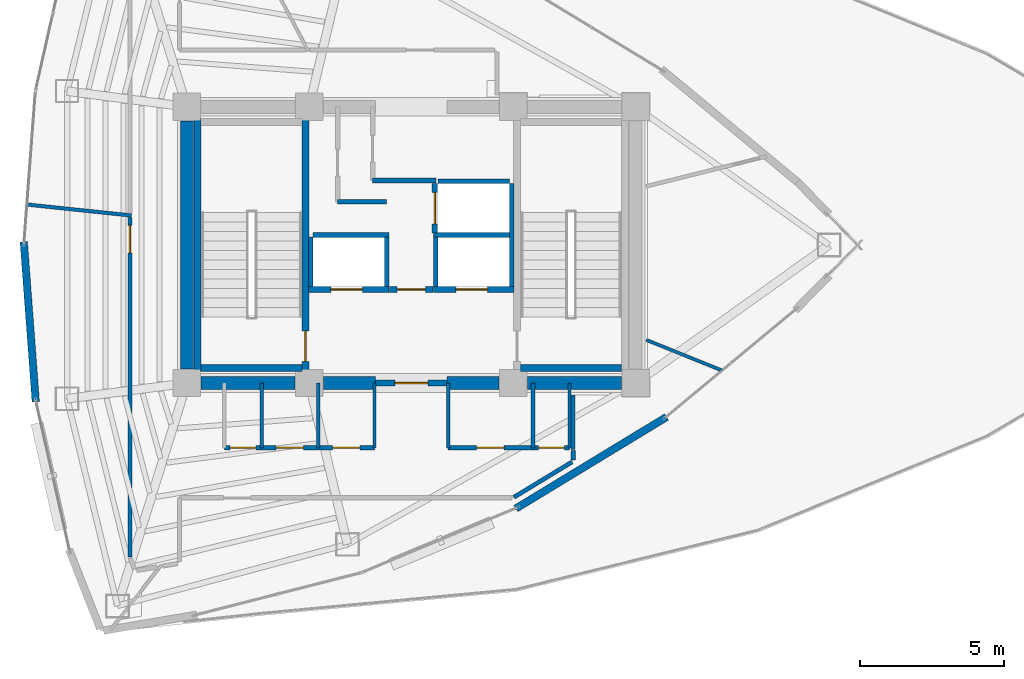
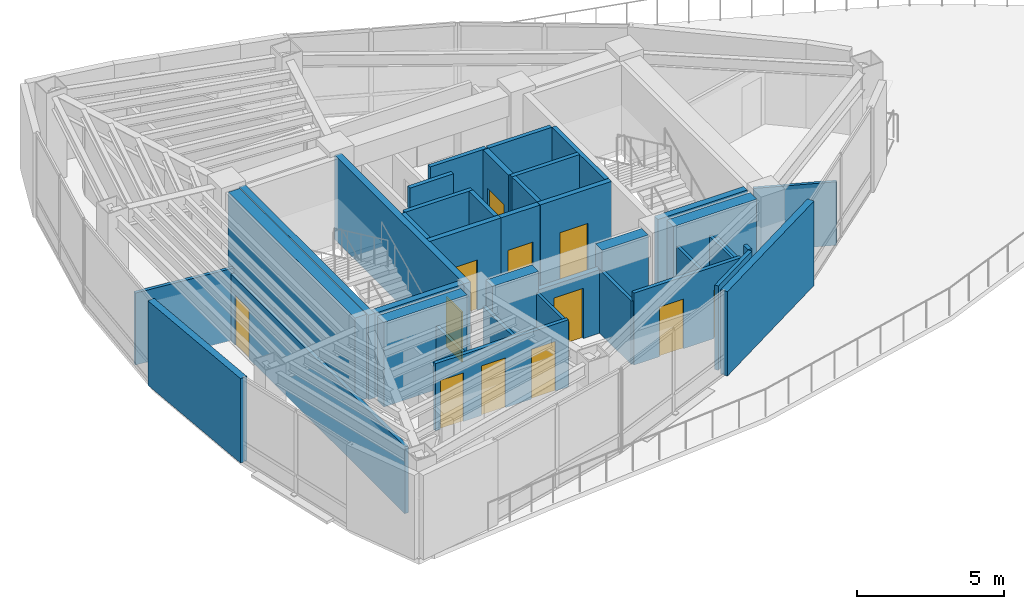
# One storey, part 12 of 16: 39 walls, 12 doors, 12 openings.
"""IFC4 building model written with IfcOpenShell, lengths in metres."""

from ifc_helpers import new_model, si_unit, direction, frame, frame_2d, origin, place, context, subcontext, project, spatial, rectangle, extrude, material, layer, layer_set, type_object, element, fill, save


model = new_model("IFC4")

# Units and contexts
model_context = context("Model", 3, precision=1e-05, world=origin(), true_north=direction((0.0, 1.0)))
body_context = subcontext(model_context, "Body", "Model", "MODEL_VIEW")
ifc_project = project(units=[si_unit("LENGTHUNIT", "METRE"), si_unit("AREAUNIT", "SQUARE_METRE"), si_unit("VOLUMEUNIT", "CUBIC_METRE"), si_unit("PLANEANGLEUNIT", "RADIAN"), si_unit("MASSUNIT", "GRAM", prefix="KILO")], contexts=[model_context])

# Site, building, storey
site_placement = place(None, origin())
site = spatial("IfcSite", under=ifc_project, at=site_placement, CompositionType="ELEMENT")
building_placement = place(site_placement, origin())
building = spatial("IfcBuilding", under=site, at=building_placement, Name="Menara Vayukalpa", CompositionType="ELEMENT")
storey_placement = place(building_placement, frame((0.0, 0.0, 247.139892578125)))
storey = spatial("IfcBuildingStorey", under=building, at=storey_placement, Name="L62", CompositionType="ELEMENT", Elevation=247.139892578125)

# Walls
ifc_material_1 = material(Name="Concrete C50/60", Category="concrete")
ifc_layer_1 = layer(ifc_material_1, 0.449951171875)
ifc_layer_set_1 = layer_set([ifc_layer_1], Name="Concrete C50/60")
wall_type_1 = type_object("IfcWallType", Name="WAL-CW450", PredefinedType="SHEAR", material=ifc_layer_set_1)
wall_1_placement = place(storey_placement, frame((18.294921875, 17.199951171875, 0.0), z_axis=(0.0, 0.0, 1.0), x_axis=(1.0, 0.0, 0.0)))
element("IfcWall", 1, at=wall_1_placement, inside=storey, type_object=wall_type_1, Name="L62 Buttressed Core Shear Wall CWS1", PredefinedType="SHEAR", context=body_context, shape_type="SweptSolid", body=[
    extrude(rectangle(XDim=3.260009765625, YDim=0.449951171875, at=frame_2d((1.6298828125, 0.0))), origin(), (0.0, 0.0, 1.0), 3.5),
])
wall_2_placement = place(storey_placement, frame((22.544921875, 17.199951171875, 0.0), z_axis=(0.0, 0.0, 1.0), x_axis=(1.0, 0.0, 0.0)))
element("IfcWall", 2, at=wall_2_placement, inside=storey, type_object=wall_type_1, Name="L62 Buttressed Core Shear Wall CWS2", PredefinedType="SHEAR", context=body_context, shape_type="SweptSolid", body=[
    extrude(rectangle(XDim=1.80517578125, YDim=0.449951171875, at=frame_2d((0.902587890625, 0.0))), origin(), (0.0, 0.0, 1.0), 3.5),
])
wall_3_placement = place(storey_placement, frame((26.85009765625, 17.199951171875, 0.0), z_axis=(0.0, 0.0, 1.0), x_axis=(1.0, 0.0, 0.0)))
element("IfcWall", 3, at=wall_3_placement, inside=storey, type_object=wall_type_1, Name="L62 Buttressed Core Shear Wall CWS3", PredefinedType="SHEAR", context=body_context, shape_type="SweptSolid", body=[
    extrude(rectangle(XDim=1.804931640625, YDim=0.449951171875, at=frame_2d((0.90234375, 0.0))), origin(), (0.0, 0.0, 1.0), 3.5),
])
wall_4_placement = place(storey_placement, frame((29.64501953125, 17.199951171875, 0.0), z_axis=(0.0, 0.0, 1.0), x_axis=(1.0, 0.0, 0.0)))
element("IfcWall", 4, at=wall_4_placement, inside=storey, type_object=wall_type_1, Name="L62 Buttressed Core Shear Wall CWS4", PredefinedType="SHEAR", context=body_context, shape_type="SweptSolid", body=[
    extrude(rectangle(XDim=3.260009765625, YDim=0.449951171875, at=frame_2d((1.6298828125, 0.0))), origin(), (0.0, 0.0, 1.0), 3.5),
])
wall_5_placement = place(storey_placement, frame((17.800048828125, 17.695068359375, 0.0), z_axis=(0.0, 0.0, 1.0), x_axis=(0.0, 1.0, 0.0)))
element("IfcWall", 5, at=wall_5_placement, inside=storey, type_object=wall_type_1, Name="L62 Buttressed Core Shear Wall CWW1", PredefinedType="SHEAR", context=body_context, shape_type="SweptSolid", body=[
    extrude(rectangle(XDim=8.60986328125, YDim=0.449951171875, at=frame_2d((4.304931640625, 0.0))), origin(), (0.0, 0.0, 1.0), 3.5),
])
ifc_material_2 = material(Name="Insulated Precast Concrete C40/50", Category="concrete")
ifc_layer_2 = layer(ifc_material_2, 0.260009765625)
ifc_layer_set_2 = layer_set([ifc_layer_2], Name="Insulated Precast Concrete C40/50")
wall_type_2 = type_object("IfcWallType", Name="WAL-EXT260", PredefinedType="PARTITIONING", material=ifc_layer_set_2)
wall_6_placement = place(storey_placement, frame((12.547119140625, 16.543701171875, 0.0), z_axis=(0.0, 0.0, 1.0), x_axis=(-0.074752976501, 0.99720208208, 0.0)))
element("IfcWall", 6, at=wall_6_placement, inside=storey, type_object=wall_type_2, Name="L62 Perimeter Terracotta Pier Wall 12", PredefinedType="PARTITIONING", context=body_context, shape_type="SweptSolid", body=[
    extrude(rectangle(XDim=5.58154296875, YDim=0.260009765625, at=frame_2d((2.790771484375, 0.0))), origin(), (0.0, 0.0, 1.0), 3.5),
])
wall_7_placement = place(storey_placement, frame((34.473876953125, 16.018798828125, 0.0), z_axis=(0.0, 0.0, 1.0), x_axis=(-0.854667549998, -0.519175672563, 0.0)))
element("IfcWall", 7, at=wall_7_placement, inside=storey, type_object=wall_type_2, Name="L62 Perimeter Terracotta Pier Wall 18", PredefinedType="PARTITIONING", context=body_context, shape_type="SweptSolid", body=[
    extrude(rectangle(XDim=6.127197265625, YDim=0.260009765625, at=frame_2d((3.0634765625, 0.0))), origin(), (0.0, 0.0, 1.0), 3.5),
])
ifc_material_3 = material(Name="Lightweight Concrete Blockwork C16/20", Category="masonry")
ifc_layer_3 = layer(ifc_material_3, 0.159912109375)
ifc_layer_set_3 = layer_set([ifc_layer_3], Name="Lightweight Concrete Blockwork C16/20")
wall_type_3 = type_object("IfcWallType", Name="WAL-FR150", PredefinedType="PARTITIONING", material=ifc_layer_set_3)
for number, where, z_axis, x_axis, name in (
    (8, (22.10498046875, 20.56005859375, 0.0), (0.0, 0.0, 1.0), (0.0, 1.0, 0.0), "L62 Interior Partition IW-L62-SHW-WW"),
    (9, (24.7548828125, 20.56005859375, 0.0), (0.0, 0.0, 1.0), (0.0, 1.0, 0.0), "L62 Interior Partition IW-L62-SHW-W1E"),
):
    element("IfcWall", number, at=place(storey_placement, frame(where, z_axis=z_axis, x_axis=x_axis)), inside=storey, type_object=wall_type_3, Name=name, PredefinedType="PARTITIONING", context=body_context, shape_type="SweptSolid", body=[
        extrude(rectangle(XDim=1.7099609375, YDim=0.159912109375, at=frame_2d((0.85498046875, 0.0))), origin(), (0.0, 0.0, 1.0), 3.5),
    ])
wall_8_placement = place(storey_placement, frame((22.179931640625, 22.344970703125, 0.0), z_axis=(0.0, 0.0, 1.0), x_axis=(1.0, 0.0, 0.0)))
element("IfcWall", 10, at=wall_8_placement, inside=storey, type_object=wall_type_3, Name="L62 Interior Partition IW-L62-SHM-W12", PredefinedType="PARTITIONING", context=body_context, shape_type="SweptSolid", body=[
    extrude(rectangle(XDim=2.650146484375, YDim=0.159912109375, at=frame_2d((1.3251953125, 0.0))), origin(), (0.0, 0.0, 1.0), 3.5),
])
wall_9_placement = place(storey_placement, frame((29.094970703125, 20.56005859375, 0.0), z_axis=(0.0, 0.0, 1.0), x_axis=(0.0, 1.0, 0.0)))
element("IfcWall", 11, at=wall_9_placement, inside=storey, type_object=wall_type_3, Name="L62 Interior Partition IW-L62-SHW-EE", PredefinedType="PARTITIONING", context=body_context, shape_type="SweptSolid", body=[
    extrude(rectangle(XDim=3.579833984375, YDim=0.159912109375, at=frame_2d((1.7900390625, 0.0))), origin(), (0.0, 0.0, 1.0), 3.5),
])
wall_10_placement = place(storey_placement, frame((26.445068359375, 20.56005859375, 0.0), z_axis=(0.0, 0.0, 1.0), x_axis=(0.0, 1.0, 0.0)))
element("IfcWall", 12, at=wall_10_placement, inside=storey, type_object=wall_type_3, Name="L62 Interior Partition IW-L62-SHW-E1W", PredefinedType="PARTITIONING", context=body_context, shape_type="SweptSolid", body=[
    extrude(rectangle(XDim=1.7099609375, YDim=0.159912109375, at=frame_2d((0.85498046875, 0.0))), origin(), (0.0, 0.0, 1.0), 3.5),
])
wall_11_placement = place(storey_placement, frame((26.3701171875, 22.344970703125, 0.0), z_axis=(0.0, 0.0, 1.0), x_axis=(1.0, 0.0, 0.0)))
element("IfcWall", 13, at=wall_11_placement, inside=storey, type_object=wall_type_3, Name="L62 Interior Partition IW-L62-SHM-E13", PredefinedType="PARTITIONING", context=body_context, shape_type="SweptSolid", body=[
    extrude(rectangle(XDim=2.64990234375, YDim=0.159912109375, at=frame_2d((1.324951171875, 0.0))), origin(), (0.0, 0.0, 1.0), 3.5),
])
wall_12_placement = place(storey_placement, frame((26.530029296875, 24.215087890625, 0.0), z_axis=(0.0, 0.0, 1.0), x_axis=(1.0, 0.0, 0.0)))
element("IfcWall", 14, at=wall_12_placement, inside=storey, type_object=wall_type_3, Name="L62 Interior Partition IW-L62-SHM-E32", PredefinedType="PARTITIONING", context=body_context, shape_type="SweptSolid", body=[
    extrude(rectangle(XDim=2.489990234375, YDim=0.159912109375, at=frame_2d((1.2451171875, 0.0))), origin(), (0.0, 0.0, 1.0), 3.5),
])
wall_13_placement = place(storey_placement, frame((23.0400390625, 23.5, 0.0), z_axis=(0.0, 0.0, 1.0), x_axis=(1.0, 0.0, 0.0)))
element("IfcWall", 15, at=wall_13_placement, inside=storey, type_object=wall_type_3, Name="L62 Interior Partition IW-L62-LV7WA", PredefinedType="PARTITIONING", context=body_context, shape_type="SweptSolid", body=[
    extrude(rectangle(XDim=1.699951171875, YDim=0.159912109375, at=frame_2d((0.85009765625, 0.0))), origin(), (0.0, 0.0, 1.0), 3.5),
])
wall_14_placement = place(storey_placement, frame((24.260009765625, 24.239990234375, 0.0), z_axis=(0.0, 0.0, 1.0), x_axis=(1.0, 0.0, 0.0)))
element("IfcWall", 16, at=wall_14_placement, inside=storey, type_object=wall_type_3, Name="L62 Interior Partition IW-L62-LV7EA", PredefinedType="PARTITIONING", context=body_context, shape_type="SweptSolid", body=[
    extrude(rectangle(XDim=2.199951171875, YDim=0.159912109375, at=frame_2d((1.10009765625, 0.0))), origin(), (0.0, 0.0, 1.0), 3.5),
])

# Wall, opening, door
ifc_material_4 = material(Name="Lightweight Concrete Blockwork C16/20", Category="masonry")
ifc_layer_4 = layer(ifc_material_4, 0.199951171875)
ifc_layer_set_4 = layer_set([ifc_layer_4], Name="Lightweight Concrete Blockwork C16/20")
wall_type_4 = type_object("IfcWallType", Name="WAL-FR200", PredefinedType="PARTITIONING", material=ifc_layer_set_4)
wall_15_placement = place(storey_placement, frame((24.35009765625, 17.199951171875, 0.0), z_axis=(0.0, 0.0, 1.0), x_axis=(1.0, 0.0, 0.0)))
wall_15 = element("IfcWall", 17, at=wall_15_placement, inside=storey, type_object=wall_type_4, Name="L62 Interior Partition IW-L62-FFLS", PredefinedType="PARTITIONING", context=body_context, shape_type="SweptSolid", body=[
    extrude(rectangle(XDim=2.5, YDim=0.199951171875, at=frame_2d((1.25, 0.0))), origin(), (0.0, 0.0, 1.0), 2.630126953125),
])
opening_1_placement = place(wall_15_placement, frame((0.679931640625, 0.0, 0.0)))
opening_1 = element("IfcOpeningElement", 18, at=opening_1_placement, cuts=wall_15, Name="Opening ID2", PredefinedType="OPENING", context=body_context, shape_type="SweptSolid", body=[
    extrude(rectangle(XDim=1.14990234375, YDim=2.080078125, at=frame_2d((0.574951171875, 1.0400390625))), frame((0.0, 0.10986328125, 0.0), z_axis=(0.0, -1.0, 0.0), x_axis=(1.0, 0.0, 0.0)), (0.0, 0.0, 1.0), 0.219970703125),
])
ifc_material_5 = material(Name="Fire-Rated Powder-Coated Steel Door", Category="steel")
door_type_1 = type_object("IfcDoorType", Name="DR-FD60W", OperationType="NOTDEFINED", PredefinedType="DOOR", material=ifc_material_5)
door_1_placement = place(opening_1_placement, origin())
door_1 = element("IfcDoor", 19, at=door_1_placement, inside=storey, type_object=door_type_1, Name="L62 Interior Door DR-L62-FFLS", OperationType="SINGLE_SWING_RIGHT", OverallHeight=2.080078125, OverallWidth=1.14990234375, PredefinedType="DOOR", context=body_context, shape_type="SweptSolid", body=[
    extrude(rectangle(XDim=1.14990234375, YDim=2.080078125, at=frame_2d((0.574951171875, 1.0400390625))), frame((0.0, 0.02490234375, 0.0), z_axis=(0.0, -1.0, 0.0), x_axis=(1.0, 0.0, 0.0)), (0.0, 0.0, 1.0), 0.050048828125),
])
fill(opening_1, door_1)

wall_16_placement = place(storey_placement, frame((24.840087890625, 20.449951171875, 0.0), z_axis=(0.0, 0.0, 1.0), x_axis=(1.0, 0.0, 0.0)))
wall_16 = element("IfcWall", 20, at=wall_16_placement, inside=storey, type_object=wall_type_4, Name="L62 Interior Partition IW-L62-FFLN", PredefinedType="PARTITIONING", context=body_context, shape_type="SweptSolid", body=[
    extrude(rectangle(XDim=1.52001953125, YDim=0.199951171875, at=frame_2d((0.760009765625, 0.0))), origin(), (0.0, 0.0, 1.0), 3.5),
])
opening_2_placement = place(wall_16_placement, frame((0.27001953125, 0.0, 0.0)))
opening_2 = element("IfcOpeningElement", 21, at=opening_2_placement, cuts=wall_16, Name="Opening ID3", PredefinedType="OPENING", context=body_context, shape_type="SweptSolid", body=[
    extrude(rectangle(XDim=0.97998046875, YDim=2.06005859375, at=frame_2d((0.489990234375, 1.030029296875))), frame((0.0, 0.10986328125, 0.0), z_axis=(0.0, -1.0, 0.0), x_axis=(1.0, 0.0, 0.0)), (0.0, 0.0, 1.0), 0.219970703125),
])
ifc_material_6 = material(Name="Fire-Rated Powder-Coated Steel Door", Category="steel")
door_type_2 = type_object("IfcDoorType", Name="DR-FD60", OperationType="NOTDEFINED", PredefinedType="DOOR", material=ifc_material_6)
door_2_placement = place(opening_2_placement, origin())
door_2 = element("IfcDoor", 22, at=door_2_placement, inside=storey, type_object=door_type_2, Name="L62 Interior Door DR-L62-FFLN", OperationType="SINGLE_SWING_LEFT", OverallHeight=2.06005859375, OverallWidth=0.97998046875, PredefinedType="DOOR", context=body_context, shape_type="SweptSolid", body=[
    extrude(rectangle(XDim=0.97998046875, YDim=2.06005859375, at=frame_2d((0.489990234375, 1.030029296875))), frame((0.0, 0.02490234375, 0.0), z_axis=(0.0, -1.0, 0.0), x_axis=(1.0, 0.0, 0.0)), (0.0, 0.0, 1.0), 0.050048828125),
])
fill(opening_2, door_2)

wall_17_placement = place(storey_placement, frame((22.030029296875, 20.449951171875, 0.0), z_axis=(0.0, 0.0, 1.0), x_axis=(1.0, 0.0, 0.0)))
wall_17 = element("IfcWall", 23, at=wall_17_placement, inside=storey, type_object=wall_type_4, Name="L62 Interior Partition IW-L62-SH-W1", PredefinedType="PARTITIONING", context=body_context, shape_type="SweptSolid", body=[
    extrude(rectangle(XDim=2.800048828125, YDim=0.199951171875, at=frame_2d((1.39990234375, 0.0))), origin(), (0.0, 0.0, 1.0), 3.5),
])
opening_3_placement = place(wall_17_placement, frame((0.780029296875, 0.0, 0.0)))
opening_3 = element("IfcOpeningElement", 24, at=opening_3_placement, cuts=wall_17, Name="Opening LD1", PredefinedType="OPENING", context=body_context, shape_type="SweptSolid", body=[
    extrude(rectangle(XDim=1.10009765625, YDim=2.080078125, at=frame_2d((0.550048828125, 1.0400390625))), frame((0.0, 0.10986328125, 0.0), z_axis=(0.0, -1.0, 0.0), x_axis=(1.0, 0.0, 0.0)), (0.0, 0.0, 1.0), 0.219970703125),
])
ifc_material_7 = material(Name="Brushed Stainless Steel 316 Lift Door", Category="steel")
door_type_3 = type_object("IfcDoorType", Name="DR-LD110", OperationType="NOTDEFINED", PredefinedType="DOOR", material=ifc_material_7)
door_3_placement = place(opening_3_placement, origin())
door_3 = element("IfcDoor", 25, at=door_3_placement, inside=storey, type_object=door_type_3, Name="L62 Interior Door DR-L62-LD-W1", OperationType="DOUBLE_DOOR_SLIDING", OverallHeight=2.080078125, OverallWidth=1.10009765625, PredefinedType="DOOR", context=body_context, shape_type="SweptSolid", body=[
    extrude(rectangle(XDim=1.10009765625, YDim=2.080078125, at=frame_2d((0.550048828125, 1.0400390625))), frame((0.0, 0.02490234375, 0.0), z_axis=(0.0, -1.0, 0.0), x_axis=(1.0, 0.0, 0.0)), (0.0, 0.0, 1.0), 0.050048828125),
])
fill(opening_3, door_3)

wall_18_placement = place(storey_placement, frame((26.3701171875, 20.449951171875, 0.0), z_axis=(0.0, 0.0, 1.0), x_axis=(1.0, 0.0, 0.0)))
wall_18 = element("IfcWall", 26, at=wall_18_placement, inside=storey, type_object=wall_type_4, Name="L62 Interior Partition IW-L62-SH-E1", PredefinedType="PARTITIONING", context=body_context, shape_type="SweptSolid", body=[
    extrude(rectangle(XDim=2.7998046875, YDim=0.199951171875, at=frame_2d((1.39990234375, 0.0))), origin(), (0.0, 0.0, 1.0), 3.5),
])
opening_4_placement = place(wall_18_placement, frame((0.780029296875, 0.0, 0.0)))
opening_4 = element("IfcOpeningElement", 27, at=opening_4_placement, cuts=wall_18, Name="Opening LD1", PredefinedType="OPENING", context=body_context, shape_type="SweptSolid", body=[
    extrude(rectangle(XDim=1.10009765625, YDim=2.080078125, at=frame_2d((0.550048828125, 1.0400390625))), frame((0.0, 0.10986328125, 0.0), z_axis=(0.0, -1.0, 0.0), x_axis=(1.0, 0.0, 0.0)), (0.0, 0.0, 1.0), 0.219970703125),
])
door_4_placement = place(opening_4_placement, origin())
door_4 = element("IfcDoor", 28, at=door_4_placement, inside=storey, type_object=door_type_3, Name="L62 Interior Door DR-L62-LD-E1", OperationType="DOUBLE_DOOR_SLIDING", OverallHeight=2.080078125, OverallWidth=1.10009765625, PredefinedType="DOOR", context=body_context, shape_type="SweptSolid", body=[
    extrude(rectangle(XDim=1.10009765625, YDim=2.080078125, at=frame_2d((0.550048828125, 1.0400390625))), frame((0.0, 0.02490234375, 0.0), z_axis=(0.0, -1.0, 0.0), x_axis=(1.0, 0.0, 0.0)), (0.0, 0.0, 1.0), 0.050048828125),
])
fill(opening_4, door_4)

wall_19_placement = place(storey_placement, frame((26.419921875, 22.419921875, 0.0), z_axis=(0.0, 0.0, 1.0), x_axis=(0.0, 1.0, 0.0)))
wall_19 = element("IfcWall", 29, at=wall_19_placement, inside=storey, type_object=wall_type_4, Name="L62 Interior Partition IW-L62-SH-E3", PredefinedType="PARTITIONING", context=body_context, shape_type="SweptSolid", body=[
    extrude(rectangle(XDim=1.719970703125, YDim=0.199951171875, at=frame_2d((0.85986328125, 0.0))), origin(), (0.0, 0.0, 1.0), 3.5),
])
opening_5_placement = place(wall_19_placement, frame((0.31005859375, 0.0, 0.0)))
opening_5 = element("IfcOpeningElement", 30, at=opening_5_placement, cuts=wall_19, Name="Opening LD1", PredefinedType="OPENING", context=body_context, shape_type="SweptSolid", body=[
    extrude(rectangle(XDim=1.10009765625, YDim=2.080078125, at=frame_2d((0.550048828125, 1.0400390625))), frame((0.0, 0.10986328125, 0.0), z_axis=(0.0, -1.0, 0.0), x_axis=(1.0, 0.0, 0.0)), (0.0, 0.0, 1.0), 0.219970703125),
])
door_5_placement = place(opening_5_placement, origin())
door_5 = element("IfcDoor", 31, at=door_5_placement, inside=storey, type_object=door_type_3, Name="L62 Interior Door DR-L62-LD-E3", OperationType="DOUBLE_DOOR_SLIDING", OverallHeight=2.080078125, OverallWidth=1.10009765625, PredefinedType="DOOR", context=body_context, shape_type="SweptSolid", body=[
    extrude(rectangle(XDim=1.10009765625, YDim=2.080078125, at=frame_2d((0.550048828125, 1.0400390625))), frame((0.0, 0.02490234375, 0.0), z_axis=(0.0, -1.0, 0.0), x_axis=(1.0, 0.0, 0.0)), (0.0, 0.0, 1.0), 0.050048828125),
])
fill(opening_5, door_5)

# Walls
ifc_material_8 = material(Name="Acoustic Mineral Stud Partition", Category="masonry")
ifc_layer_5 = layer(ifc_material_8, 0.110107421875)
ifc_layer_set_5 = layer_set([ifc_layer_5], Name="Acoustic Mineral Stud Partition")
wall_type_5 = type_object("IfcWallType", Name="WAL-PT110", PredefinedType="PARTITIONING", material=ifc_layer_set_5)
for number, where, z_axis, x_axis, name in (
    (32, (24.320068359375, 14.949951171875, 0.0), (0.0, 0.0, 1.0), (0.0, 1.0, 0.0), "L62 Interior Partition IW-L62-SVCD-04"),
    (33, (31.10009765625, 14.949951171875, 0.0), (0.0, 0.0, 1.0), (0.0, 1.0, 0.0), "L62 Interior Partition IW-L62-SVCD-07"),
):
    element("IfcWall", number, at=place(storey_placement, frame(where, z_axis=z_axis, x_axis=x_axis)), inside=storey, type_object=wall_type_5, Name=name, PredefinedType="PARTITIONING", context=body_context, shape_type="SweptSolid", body=[
        extrude(rectangle(XDim=2.25, YDim=0.110107421875, at=frame_2d((1.125, 0.0))), origin(), (0.0, 0.0, 1.0), 2.630126953125),
    ])
wall_20_placement = place(storey_placement, frame((33.77001953125, 18.69921875, 0.0), z_axis=(0.0, 0.0, 1.0), x_axis=(0.92715823081, -0.374670008197, 0.0)))
element("IfcWall", 34, at=wall_20_placement, inside=storey, type_object=wall_type_5, Name="L62 Interior Partition IW-L62-RDIV05", PredefinedType="PARTITIONING", context=body_context, shape_type="SweptSolid", body=[
    extrude(rectangle(XDim=2.84765625, YDim=0.110107421875, at=frame_2d((1.423828125, 0.0))), origin(), (0.0, 0.0, 1.0), 2.630126953125),
])
ifc_material_9 = material(Name="Gypsum Drywall Steel Stud Assembly", Category="steel")
ifc_layer_6 = layer(ifc_material_9, 0.125)
ifc_layer_set_6 = layer_set([ifc_layer_6], Name="Gypsum Drywall Steel Stud Assembly")
wall_type_6 = type_object("IfcWallType", Name="WAL-PT125", PredefinedType="PARTITIONING", material=ifc_layer_set_6)
for number, where, z_axis, x_axis, name in (
    (35, (20.39990234375, 14.949951171875, 0.0), (0.0, 0.0, 1.0), (0.0, 1.0, 0.0), "L62 Interior Partition IW-L62-SVCD-02"),
    (36, (22.360107421875, 14.949951171875, 0.0), (0.0, 0.0, 1.0), (0.0, 1.0, 0.0), "L62 Interior Partition IW-L62-SVCD-03"),
    (37, (26.8798828125, 14.949951171875, 0.0), (0.0, 0.0, 1.0), (0.0, 1.0, 0.0), "L62 Interior Partition IW-L62-SVCD-05"),
    (38, (29.830078125, 14.949951171875, 0.0), (0.0, 0.0, 1.0), (0.0, 1.0, 0.0), "L62 Interior Partition IW-L62-SVCD-06"),
):
    element("IfcWall", number, at=place(storey_placement, frame(where, z_axis=z_axis, x_axis=x_axis)), inside=storey, type_object=wall_type_6, Name=name, PredefinedType="PARTITIONING", context=body_context, shape_type="SweptSolid", body=[
        extrude(rectangle(XDim=2.25, YDim=0.125, at=frame_2d((1.125, 0.0))), origin(), (0.0, 0.0, 1.0), 2.630126953125),
    ])
wall_21_placement = place(storey_placement, frame((15.8701171875, 23.022705078125, 0.0), z_axis=(0.0, 0.0, 1.0), x_axis=(-0.994526285713, 0.104486683482, 0.0)))
element("IfcWall", 39, at=wall_21_placement, inside=storey, type_object=wall_type_6, Name="L62 Interior Partition IW-L62-RDIV03", PredefinedType="PARTITIONING", context=body_context, shape_type="SweptSolid", body=[
    extrude(rectangle(XDim=3.65673828125, YDim=0.125, at=frame_2d((1.828369140625, 0.0))), origin(), (0.0, 0.0, 1.0), 2.980224609375),
])

# Wall, openings, doors
ifc_material_10 = material(Name="Gypsum Drywall Acoustic Stud Assembly", Category="masonry")
ifc_layer_7 = layer(ifc_material_10, 0.14501953125)
ifc_layer_set_7 = layer_set([ifc_layer_7], Name="Gypsum Drywall Acoustic Stud Assembly")
wall_type_7 = type_object("IfcWallType", Name="WAL-PT150", PredefinedType="PARTITIONING", material=ifc_layer_set_7)
wall_22_placement = place(storey_placement, frame((19.10009765625, 14.949951171875, 0.0), z_axis=(0.0, 0.0, 1.0), x_axis=(1.0, 0.0, 0.0)))
wall_22 = element("IfcWall", 40, at=wall_22_placement, inside=storey, type_object=wall_type_7, Name="L62 Interior Partition IW-L62-SVCS-W", PredefinedType="PARTITIONING", context=body_context, shape_type="SweptSolid", body=[
    extrude(rectangle(XDim=5.219970703125, YDim=0.14501953125, at=frame_2d((2.60986328125, 0.0))), origin(), (0.0, 0.0, 1.0), 2.780029296875),
])
opening_6_placement = place(wall_22_placement, frame((0.199951171875, 0.0, 0.0)))
opening_6 = element("IfcOpeningElement", 41, at=opening_6_placement, cuts=wall_22, Name="Opening ID7", PredefinedType="OPENING", context=body_context, shape_type="SweptSolid", body=[
    extrude(rectangle(XDim=0.89990234375, YDim=2.02001953125, at=frame_2d((0.449951171875, 1.010009765625))), frame((0.0, 0.08251953125, 0.0), z_axis=(0.0, -1.0, 0.0), x_axis=(1.0, 0.0, 0.0)), (0.0, 0.0, 1.0), 0.1650390625),
])
opening_7_placement = place(wall_22_placement, frame((1.804931640625, 0.0, 0.0)))
opening_7 = element("IfcOpeningElement", 42, at=opening_7_placement, cuts=wall_22, Name="Opening ID5", PredefinedType="OPENING", context=body_context, shape_type="SweptSolid", body=[
    extrude(rectangle(XDim=0.949951171875, YDim=2.06005859375, at=frame_2d((0.47509765625, 1.030029296875))), frame((0.0, 0.08251953125, 0.0), z_axis=(0.0, -1.0, 0.0), x_axis=(1.0, 0.0, 0.0)), (0.0, 0.0, 1.0), 0.1650390625),
])
opening_8_placement = place(wall_22_placement, frame((3.764892578125, 0.0, 0.0)))
opening_8 = element("IfcOpeningElement", 43, at=opening_8_placement, cuts=wall_22, Name="Opening ID5", PredefinedType="OPENING", context=body_context, shape_type="SweptSolid", body=[
    extrude(rectangle(XDim=0.949951171875, YDim=2.06005859375, at=frame_2d((0.47509765625, 1.030029296875))), frame((0.0, 0.08251953125, 0.0), z_axis=(0.0, -1.0, 0.0), x_axis=(1.0, 0.0, 0.0)), (0.0, 0.0, 1.0), 0.1650390625),
])
ifc_material_11 = material(Name="Acoustic Hardwood Veneer Timber Door", Category="wood")
door_type_4 = type_object("IfcDoorType", Name="DR-INT95", OperationType="NOTDEFINED", PredefinedType="DOOR", material=ifc_material_11)
door_6_placement = place(opening_7_placement, origin())
door_6 = element("IfcDoor", 44, at=door_6_placement, inside=storey, type_object=door_type_4, Name="L62 Interior Door DR-L62-AWC", OperationType="SINGLE_SWING_LEFT", OverallHeight=2.06005859375, OverallWidth=0.949951171875, PredefinedType="DOOR", context=body_context, shape_type="SweptSolid", body=[
    extrude(rectangle(XDim=0.949951171875, YDim=2.06005859375, at=frame_2d((0.47509765625, 1.030029296875))), frame((0.0, 0.02490234375, 0.0), z_axis=(0.0, -1.0, 0.0), x_axis=(1.0, 0.0, 0.0)), (0.0, 0.0, 1.0), 0.050048828125),
])
fill(opening_7, door_6)
door_7_placement = place(opening_8_placement, origin())
door_7 = element("IfcDoor", 45, at=door_7_placement, inside=storey, type_object=door_type_4, Name="L62 Interior Door DR-L62-SWC", OperationType="SINGLE_SWING_RIGHT", OverallHeight=2.06005859375, OverallWidth=0.949951171875, PredefinedType="DOOR", context=body_context, shape_type="SweptSolid", body=[
    extrude(rectangle(XDim=0.949951171875, YDim=2.06005859375, at=frame_2d((0.47509765625, 1.030029296875))), frame((0.0, 0.02490234375, 0.0), z_axis=(0.0, -1.0, 0.0), x_axis=(1.0, 0.0, 0.0)), (0.0, 0.0, 1.0), 0.050048828125),
])
fill(opening_8, door_7)
ifc_material_12 = material(Name="Powder-Coated Steel Riser Access Door", Category="steel")
door_type_5 = type_object("IfcDoorType", Name="DR-RISER", OperationType="NOTDEFINED", PredefinedType="DOOR", material=ifc_material_12)
door_8_placement = place(opening_6_placement, origin())
door_8 = element("IfcDoor", 46, at=door_8_placement, inside=storey, type_object=door_type_5, Name="L62 Interior Door DR-L62-ELR", OperationType="SINGLE_SWING_RIGHT", OverallHeight=2.02001953125, OverallWidth=0.89990234375, PredefinedType="DOOR", context=body_context, shape_type="SweptSolid", body=[
    extrude(rectangle(XDim=0.89990234375, YDim=2.02001953125, at=frame_2d((0.449951171875, 1.010009765625))), frame((0.0, 0.02490234375, 0.0), z_axis=(0.0, -1.0, 0.0), x_axis=(1.0, 0.0, 0.0)), (0.0, 0.0, 1.0), 0.050048828125),
])
fill(opening_6, door_8)

wall_23_placement = place(storey_placement, frame((26.8798828125, 14.949951171875, 0.0), z_axis=(0.0, 0.0, 1.0), x_axis=(1.0, 0.0, 0.0)))
wall_23 = element("IfcWall", 47, at=wall_23_placement, inside=storey, type_object=wall_type_7, Name="L62 Interior Partition IW-L62-SVCS-E", PredefinedType="PARTITIONING", context=body_context, shape_type="SweptSolid", body=[
    extrude(rectangle(XDim=4.22021484375, YDim=0.14501953125, at=frame_2d((2.110107421875, 0.0))), origin(), (0.0, 0.0, 1.0), 2.980224609375),
])
opening_9_placement = place(wall_23_placement, frame((0.9951171875, 0.0, 0.0)))
opening_9 = element("IfcOpeningElement", 48, at=opening_9_placement, cuts=wall_23, Name="Opening ID5", PredefinedType="OPENING", context=body_context, shape_type="SweptSolid", body=[
    extrude(rectangle(XDim=0.949951171875, YDim=2.06005859375, at=frame_2d((0.47509765625, 1.030029296875))), frame((0.0, 0.08251953125, 0.0), z_axis=(0.0, -1.0, 0.0), x_axis=(1.0, 0.0, 0.0)), (0.0, 0.0, 1.0), 0.1650390625),
])
opening_10_placement = place(wall_23_placement, frame((3.139892578125, 0.0, 0.0)))
opening_10 = element("IfcOpeningElement", 49, at=opening_10_placement, cuts=wall_23, Name="Opening ID7", PredefinedType="OPENING", context=body_context, shape_type="SweptSolid", body=[
    extrude(rectangle(XDim=0.89990234375, YDim=2.02001953125, at=frame_2d((0.449951171875, 1.010009765625))), frame((0.0, 0.08251953125, 0.0), z_axis=(0.0, -1.0, 0.0), x_axis=(1.0, 0.0, 0.0)), (0.0, 0.0, 1.0), 0.1650390625),
])
door_9_placement = place(opening_9_placement, origin())
door_9 = element("IfcDoor", 50, at=door_9_placement, inside=storey, type_object=door_type_4, Name="L62 Interior Door DR-L62-KSV1", OperationType="SINGLE_SWING_LEFT", OverallHeight=2.06005859375, OverallWidth=0.949951171875, PredefinedType="DOOR", context=body_context, shape_type="SweptSolid", body=[
    extrude(rectangle(XDim=0.949951171875, YDim=2.06005859375, at=frame_2d((0.47509765625, 1.030029296875))), frame((0.0, 0.02490234375, 0.0), z_axis=(0.0, -1.0, 0.0), x_axis=(1.0, 0.0, 0.0)), (0.0, 0.0, 1.0), 0.050048828125),
])
fill(opening_9, door_9)
door_10_placement = place(opening_10_placement, origin())
door_10 = element("IfcDoor", 51, at=door_10_placement, inside=storey, type_object=door_type_5, Name="L62 Interior Door DR-L62-SMD", OperationType="SINGLE_SWING_RIGHT", OverallHeight=2.02001953125, OverallWidth=0.89990234375, PredefinedType="DOOR", context=body_context, shape_type="SweptSolid", body=[
    extrude(rectangle(XDim=0.89990234375, YDim=2.02001953125, at=frame_2d((0.449951171875, 1.010009765625))), frame((0.0, 0.02490234375, 0.0), z_axis=(0.0, -1.0, 0.0), x_axis=(1.0, 0.0, 0.0)), (0.0, 0.0, 1.0), 0.050048828125),
])
fill(opening_10, door_10)

# Wall, opening, door
wall_24_placement = place(storey_placement, frame((15.820068359375, 22.95751953125, 0.0), z_axis=(0.0, 0.0, 1.0), x_axis=(0.0, -1.0, 0.0)))
wall_24 = element("IfcWall", 52, at=wall_24_placement, inside=storey, type_object=wall_type_7, Name="L62 Interior Partition IW-L62-CRM01-1", PredefinedType="PARTITIONING", context=body_context, shape_type="SweptSolid", body=[
    extrude(rectangle(XDim=11.811279296875, YDim=0.14501953125, at=frame_2d((5.90576171875, 0.0))), origin(), (0.0, 0.0, 1.0), 2.780029296875),
])
opening_11_placement = place(wall_24_placement, frame((0.280029296875, 0.0, 0.0)))
opening_11 = element("IfcOpeningElement", 53, at=opening_11_placement, cuts=wall_24, Name="Opening ID5", PredefinedType="OPENING", context=body_context, shape_type="SweptSolid", body=[
    extrude(rectangle(XDim=0.949951171875, YDim=2.06005859375, at=frame_2d((0.47509765625, 1.030029296875))), frame((0.0, 0.08251953125, 0.0), z_axis=(0.0, -1.0, 0.0), x_axis=(1.0, 0.0, 0.0)), (0.0, 0.0, 1.0), 0.1650390625),
])
door_11_placement = place(opening_11_placement, origin())
door_11 = element("IfcDoor", 54, at=door_11_placement, inside=storey, type_object=door_type_4, Name="L62 Interior Door DR-L62-RM01", OperationType="SINGLE_SWING_LEFT", OverallHeight=2.06005859375, OverallWidth=0.949951171875, PredefinedType="DOOR", context=body_context, shape_type="SweptSolid", body=[
    extrude(rectangle(XDim=0.949951171875, YDim=2.06005859375, at=frame_2d((0.47509765625, 1.030029296875))), frame((0.0, 0.02490234375, 0.0), z_axis=(0.0, -1.0, 0.0), x_axis=(1.0, 0.0, 0.0)), (0.0, 0.0, 1.0), 0.050048828125),
])
fill(opening_11, door_11)

# Walls
wall_25_placement = place(storey_placement, frame((29.167724609375, 13.228515625, 0.0), z_axis=(0.0, 0.0, 1.0), x_axis=(0.854678044033, 0.519158396876, 0.0)))
element("IfcWall", 55, at=wall_25_placement, inside=storey, type_object=wall_type_7, Name="L62 Interior Partition IW-L62-CRM03-4", PredefinedType="PARTITIONING", context=body_context, shape_type="SweptSolid", body=[
    extrude(rectangle(XDim=2.36767578125, YDim=0.14501953125, at=frame_2d((1.183837890625, 0.0))), origin(), (0.0, 0.0, 1.0), 3.5),
])
wall_26_placement = place(storey_placement, frame((31.22998046875, 14.526123046875, 0.0), z_axis=(0.0, 0.0, 1.0), x_axis=(0.0, 1.0, 0.0)))
element("IfcWall", 56, at=wall_26_placement, inside=storey, type_object=wall_type_7, Name="L62 Interior Partition IW-L62-CRM03-5", PredefinedType="PARTITIONING", context=body_context, shape_type="SweptSolid", body=[
    extrude(rectangle(XDim=0.323974609375, YDim=0.14501953125, at=frame_2d((0.162109375, 0.0))), origin(), (0.0, 0.0, 1.0), 3.5),
])
wall_27_placement = place(storey_placement, frame((31.219970703125, 14.888671875, 0.0), z_axis=(0.0, 0.0, 1.0), x_axis=(0.0, 1.0, 0.0)))
element("IfcWall", 57, at=wall_27_placement, inside=storey, type_object=wall_type_7, Name="L62 Interior Partition IW-L62-CRM03-6", PredefinedType="PARTITIONING", context=body_context, shape_type="SweptSolid", body=[
    extrude(rectangle(XDim=1.891357421875, YDim=0.14501953125, at=frame_2d((0.94580078125, 0.0))), origin(), (0.0, 0.0, 1.0), 2.630126953125),
])
ifc_material_13 = material(Name="Concrete C50/60", Category="concrete")
ifc_layer_8 = layer(ifc_material_13, 0.25)
ifc_layer_set_8 = layer_set([ifc_layer_8], Name="Concrete C50/60")
wall_type_8 = type_object("IfcWallType", Name="WAL-SW250", PredefinedType="SHEAR", material=ifc_layer_set_8)
wall_28_placement = place(storey_placement, frame((18.175048828125, 17.60009765625, 0.0), z_axis=(0.0, 0.0, 1.0), x_axis=(0.0, 1.0, 0.0)))
element("IfcWall", 58, at=wall_28_placement, inside=storey, type_object=wall_type_8, Name="L62 ST1 Structural Stair Shaft Wall W", PredefinedType="SHEAR", context=body_context, shape_type="SweptSolid", body=[
    extrude(rectangle(XDim=8.7998046875, YDim=0.25, at=frame_2d((4.39990234375, 0.0))), origin(), (0.0, 0.0, 1.0), 3.5),
])

# Wall, opening, door
wall_29_placement = place(storey_placement, frame((21.925048828125, 17.60009765625, 0.0), z_axis=(0.0, 0.0, 1.0), x_axis=(0.0, 1.0, 0.0)))
wall_29 = element("IfcWall", 59, at=wall_29_placement, inside=storey, type_object=wall_type_8, Name="L62 ST1 Structural Stair Shaft Wall E", PredefinedType="SHEAR", context=body_context, shape_type="SweptSolid", body=[
    extrude(rectangle(XDim=8.7998046875, YDim=0.25, at=frame_2d((4.39990234375, 0.0))), origin(), (0.0, 0.0, 1.0), 3.5),
])
opening_12_placement = place(wall_29_placement, frame((0.35009765625, 0.0, 0.0)))
opening_12 = element("IfcOpeningElement", 60, at=opening_12_placement, cuts=wall_29, Name="Opening ID1", PredefinedType="OPENING", context=body_context, shape_type="SweptSolid", body=[
    extrude(rectangle(XDim=1.050048828125, YDim=2.080078125, at=frame_2d((0.52490234375, 1.0400390625))), frame((0.0, 0.135009765625, 0.0), z_axis=(0.0, -1.0, 0.0), x_axis=(1.0, 0.0, 0.0)), (0.0, 0.0, 1.0), 0.27001953125),
])
ifc_material_14 = material(Name="Fire-Rated Powder-Coated Steel Door", Category="steel")
door_type_6 = type_object("IfcDoorType", Name="DR-FD120", OperationType="NOTDEFINED", PredefinedType="DOOR", material=ifc_material_14)
door_12_placement = place(opening_12_placement, origin())
door_12 = element("IfcDoor", 61, at=door_12_placement, inside=storey, type_object=door_type_6, Name="L62 Stair Exit Door DR-L62-ST1", OperationType="SINGLE_SWING_LEFT", OverallHeight=2.080078125, OverallWidth=1.050048828125, PredefinedType="DOOR", context=body_context, shape_type="SweptSolid", body=[
    extrude(rectangle(XDim=1.050048828125, YDim=2.080078125, at=frame_2d((0.52490234375, 1.0400390625))), frame((0.0, 0.02490234375, 0.0), z_axis=(0.0, -1.0, 0.0), x_axis=(1.0, 0.0, 0.0)), (0.0, 0.0, 1.0), 0.050048828125),
])
fill(opening_12, door_12)

# Walls
for number, where, z_axis, x_axis, name in (
    (62, (18.300048828125, 17.72509765625, 0.0), (0.0, 0.0, 1.0), (1.0, 0.0, 0.0), "L62 ST1 Structural Stair Shaft Wall S"),
    (63, (29.39990234375, 17.72509765625, 0.0), (0.0, 0.0, 1.0), (1.0, 0.0, 0.0), "L62 ST2 Structural Stair Shaft Wall S"),
):
    element("IfcWall", number, at=place(storey_placement, frame(where, z_axis=z_axis, x_axis=x_axis)), inside=storey, type_object=wall_type_8, Name=name, PredefinedType="SHEAR", context=body_context, shape_type="SweptSolid", body=[
        extrude(rectangle(XDim=3.5, YDim=0.25, at=frame_2d((1.75, 0.0))), origin(), (0.0, 0.0, 1.0), 3.5),
    ])

save(model, "model.ifc")
